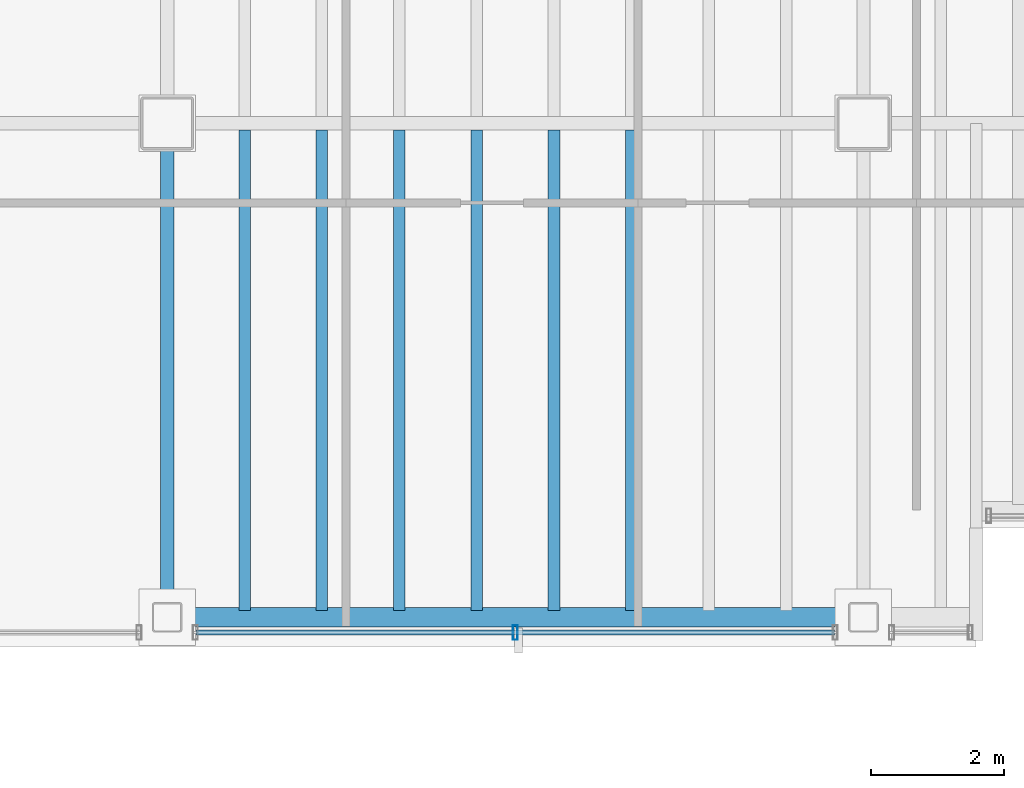
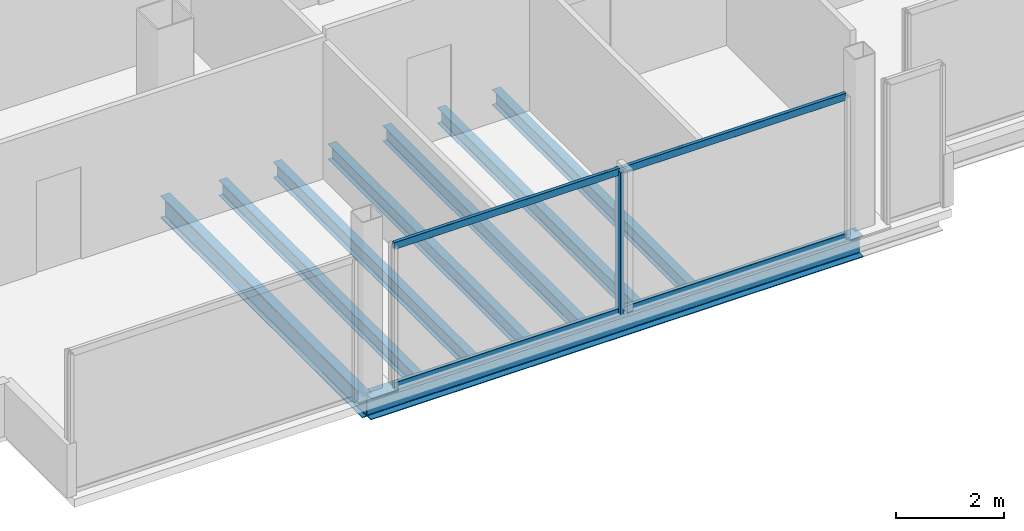
# One storey, part 3 of 17: 8 beams, 3 members, 1 element without a shape of its own.
"""IFC4 building model written with IfcOpenShell, lengths in metres."""

from ifc_helpers import new_model, si_unit, direction, frame, origin, origin_2d, place, context, subcontext, project, spatial, hollow_rectangle, i_section, extrude, material, material_profile, profile_set, type_object, element, aggregate, save


model = new_model("IFC4")

# Units and contexts
model_context = context("Model", 3, precision=1e-05, world=origin(), true_north=direction((0.0, 1.0)))
body_context = subcontext(model_context, "Body", "Model", "MODEL_VIEW")
ifc_project = project(units=[si_unit("LENGTHUNIT", "METRE"), si_unit("AREAUNIT", "SQUARE_METRE"), si_unit("VOLUMEUNIT", "CUBIC_METRE"), si_unit("PLANEANGLEUNIT", "RADIAN"), si_unit("MASSUNIT", "GRAM", prefix="KILO")], contexts=[model_context])

# Site, building, storey
site_placement = place(None, origin())
site = spatial("IfcSite", under=ifc_project, at=site_placement, CompositionType="ELEMENT")
building_placement = place(site_placement, origin())
building = spatial("IfcBuilding", under=site, at=building_placement, Name="Noeulbin Bourse Tower", CompositionType="ELEMENT")
storey_placement = place(building_placement, frame((0.0, 0.0, 246.199951171875)))
storey = spatial("IfcBuildingStorey", under=building, at=storey_placement, Name="L61", CompositionType="ELEMENT", Elevation=246.199951171875)

# Beams
ifc_material_1 = material(Name="Steel S355", Category="steel")
ifc_material_profile_1 = material_profile(ifc_material_1, i_section(OverallWidth=0.199951171875, OverallDepth=0.5, WebThickness=0.010009765625, FlangeThickness=0.01611328125, FilletRadius=0.02001953125, at=origin_2d()), Name="H-500x200x10x16", Category="LoadBearing")
ifc_profile_set_1 = profile_set([ifc_material_profile_1], Name="Steel S355")
beam_type_1 = type_object("IfcBeamType", Name="BM-GRD-500", PredefinedType="USERDEFINED", material=ifc_profile_set_1)
beam_1_placement = place(storey_placement, frame((13.5, 12.550048828125, -0.429931640625), z_axis=(0.0, 1.0, 0.0), x_axis=(-1.0, 0.0, 0.0)))
element("IfcBeam", 1, at=beam_1_placement, inside=storey, type_object=beam_type_1, Name="Tower Primary Girder NS L61-1.1", ObjectType="GIRDER", PredefinedType="USERDEFINED", context=body_context, shape_type="SweptSolid", body=[
    extrude(i_section(OverallWidth=0.199951171875, OverallDepth=0.5, WebThickness=0.010009765625, FlangeThickness=0.01611328125, FilletRadius=0.02001953125, at=origin_2d()), origin(), (0.0, 0.0, 1.0), 7.449951171875),
])
ifc_material_profile_2 = material_profile(ifc_material_1, i_section(OverallWidth=0.175048828125, OverallDepth=0.35009765625, WebThickness=0.007080078125, FlangeThickness=0.010986328125, FilletRadius=0.013916015625, at=origin_2d()), Name="H-350x175x7x11", Category="LoadBearing")
ifc_profile_set_2 = profile_set([ifc_material_profile_2], Name="Steel S355")
beam_type_2 = type_object("IfcBeamType", Name="BM-JST-350", PredefinedType="JOIST", material=ifc_profile_set_2)
for number, where, z_axis, x_axis, name in (
    (2, (14.666748046875, 12.64990234375, -0.35498046875), (0.0, 1.0, 0.0), (-1.0, 0.0, 0.0), "Tower Composite Joist L61-01"),
    (3, (15.833251953125, 12.64990234375, -0.35498046875), (0.0, 1.0, 0.0), (-1.0, 0.0, 0.0), "Tower Composite Joist L61-03"),
    (4, (17.0, 12.64990234375, -0.35498046875), (0.0, 1.0, 0.0), (-1.0, 0.0, 0.0), "Tower Composite Joist L61-05"),
    (5, (18.166748046875, 12.64990234375, -0.35498046875), (0.0, 1.0, 0.0), (-1.0, 0.0, 0.0), "Tower Composite Joist L61-07"),
    (6, (19.333251953125, 12.64990234375, -0.35498046875), (0.0, 1.0, 0.0), (-1.0, 0.0, 0.0), "Tower Composite Joist L61-09"),
    (7, (20.5, 12.64990234375, -0.35498046875), (0.0, 1.0, 0.0), (-1.0, 0.0, 0.0), "Tower Composite Joist L61-11"),
):
    element("IfcBeam", number, at=place(storey_placement, frame(where, z_axis=z_axis, x_axis=x_axis)), inside=storey, type_object=beam_type_2, Name=name, PredefinedType="JOIST", context=body_context, shape_type="SweptSolid", body=[
        extrude(i_section(OverallWidth=0.175048828125, OverallDepth=0.35009765625, WebThickness=0.007080078125, FlangeThickness=0.010986328125, FilletRadius=0.013916015625, at=origin_2d()), origin(), (0.0, 0.0, 1.0), 7.25),
    ])
ifc_material_profile_3 = material_profile(ifc_material_1, i_section(OverallWidth=0.300048828125, OverallDepth=0.488037109375, WebThickness=0.010986328125, FlangeThickness=0.01806640625, FilletRadius=0.02197265625, at=origin_2d()), Name="H-488x300x11x18", Category="LoadBearing")
ifc_profile_set_3 = profile_set([ifc_material_profile_3], Name="Steel S355")
beam_type_3 = type_object("IfcBeamType", Name="BM-SPN-488", PredefinedType="SPANDREL", material=ifc_profile_set_3)
beam_2_placement = place(storey_placement, frame((13.5, 12.550048828125, -0.424072265625), z_axis=(1.0, 0.0, 0.0), x_axis=(0.0, 1.0, 0.0)))
element("IfcBeam", 8, at=beam_2_placement, inside=storey, type_object=beam_type_3, Name="South Spandrel L61-1", PredefinedType="SPANDREL", context=body_context, shape_type="SweptSolid", body=[
    extrude(i_section(OverallWidth=0.300048828125, OverallDepth=0.488037109375, WebThickness=0.010986328125, FlangeThickness=0.01806640625, FilletRadius=0.02197265625, at=origin_2d()), origin(), (0.0, 0.0, 1.0), 10.5),
])

# Curtain wall, members
ifc_material_2 = material(Name="High-Selectivity Low-Iron Glazing", Category="glass")
curtain_wall_type = type_object("IfcCurtainWallType", Name="CW-SYS-4", PredefinedType="NOTDEFINED", material=ifc_material_2)
curtain_wall_placement = place(storey_placement, origin())
curtain_wall = element("IfcCurtainWall", 9, at=curtain_wall_placement, inside=storey, type_object=curtain_wall_type, Name="Unitised Curtain Wall CW-L61-S1-S2", PredefinedType="NOTDEFINED")
ifc_material_3 = material(Name="Anodised Aluminium 6063-T6", Category="aluminium")
ifc_material_profile_4 = material_profile(ifc_material_3, hollow_rectangle(XDim=0.074951171875, YDim=0.219970703125, WallThickness=0.0048828125, InnerFilletRadius=0.00244140625, OuterFilletRadius=0.0048828125, at=origin_2d()), Name="ALU-MULL-75x220x5", Category="LoadBearing")
ifc_profile_set_4 = profile_set([ifc_material_profile_4], Name="Anodised Aluminium 6063-T6")
member_type_1 = type_object("IfcMemberType", Name="CW-SYS-4-MUL", PredefinedType="MULLION", material=ifc_profile_set_4)
member_1_placement = place(storey_placement, frame((18.75, 12.320068359375, -0.02001953125), z_axis=(0.0, 0.0, 1.0), x_axis=(1.0, 0.0, 0.0)))
member_1 = element("IfcMember", 10, at=member_1_placement, type_object=member_type_1, Name="Curtain Wall Mullion CW-L61-S1-S2-M01", PredefinedType="MULLION", context=body_context, shape_type="SweptSolid", body=[
    extrude(hollow_rectangle(XDim=0.074951171875, YDim=0.219970703125, WallThickness=0.0048828125, InnerFilletRadius=0.00244140625, OuterFilletRadius=0.0048828125, at=origin_2d()), origin(), (0.0, 0.0, 1.0), 3.219970703125),
])
ifc_material_profile_5 = material_profile(ifc_material_3, hollow_rectangle(XDim=0.074951171875, YDim=0.159912109375, WallThickness=0.0048828125, InnerFilletRadius=0.00244140625, OuterFilletRadius=0.0048828125, at=origin_2d()), Name="ALU-TRAN-75x160x5", Category="LoadBearing")
ifc_profile_set_5 = profile_set([ifc_material_profile_5], Name="Anodised Aluminium 6063-T6")
member_type_2 = type_object("IfcMemberType", Name="CW-SYS-4-TRN", PredefinedType="USERDEFINED", material=ifc_profile_set_5)
member_2_placement = place(storey_placement, frame((13.93505859375, 12.320068359375, 0.010009765625), z_axis=(1.0, 0.0, 0.0), x_axis=(0.0, 1.0, 0.0)))
member_2 = element("IfcMember", 11, at=member_2_placement, type_object=member_type_2, Name="Curtain Wall Transom CW-L61-S1-S2-T00", ObjectType="TRANSOM", PredefinedType="USERDEFINED", context=body_context, shape_type="SweptSolid", body=[
    extrude(hollow_rectangle(XDim=0.074951171875, YDim=0.159912109375, WallThickness=0.0048828125, InnerFilletRadius=0.00244140625, OuterFilletRadius=0.0048828125, at=origin_2d()), origin(), (0.0, 0.0, 1.0), 9.6298828125),
])
member_3_placement = place(storey_placement, frame((13.93505859375, 12.320068359375, 3.170166015625), z_axis=(1.0, 0.0, 0.0), x_axis=(0.0, 1.0, 0.0)))
member_3 = element("IfcMember", 12, at=member_3_placement, type_object=member_type_2, Name="Curtain Wall Transom CW-L61-S1-S2-T01", ObjectType="TRANSOM", PredefinedType="USERDEFINED", context=body_context, shape_type="SweptSolid", body=[
    extrude(hollow_rectangle(XDim=0.074951171875, YDim=0.159912109375, WallThickness=0.0048828125, InnerFilletRadius=0.00244140625, OuterFilletRadius=0.0048828125, at=origin_2d()), origin(), (0.0, 0.0, 1.0), 9.6298828125),
])
aggregate(curtain_wall, [member_1, member_2, member_3])

save(model, "model.ifc")
